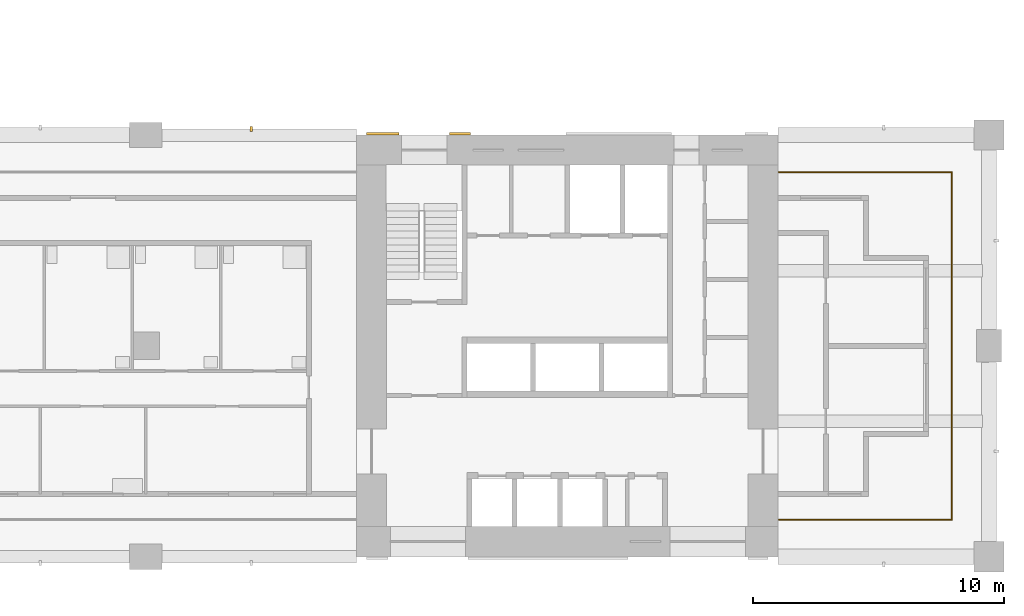
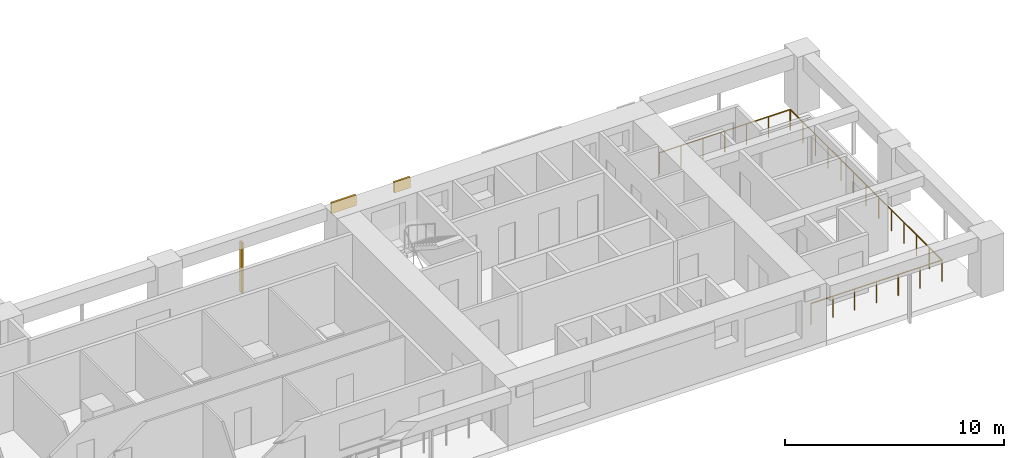
# One storey, part 13 of 17: 3 shading devices, 1 railing.
"""IFC4 building model written with IfcOpenShell, lengths in metres."""

from ifc_helpers import new_model, si_unit, direction, frame, origin, origin_2d, place, context, subcontext, project, spatial, rectangle, circle, extrude, material, layer, layer_set, material_profile, profile_set, type_object, element, save


model = new_model("IFC4")

# Units and contexts
model_context = context("Model", 3, precision=1e-05, world=origin(), true_north=direction((0.0, 1.0)))
body_context = subcontext(model_context, "Body", "Model", "MODEL_VIEW")
ifc_project = project(units=[si_unit("LENGTHUNIT", "METRE"), si_unit("AREAUNIT", "SQUARE_METRE"), si_unit("VOLUMEUNIT", "CUBIC_METRE"), si_unit("PLANEANGLEUNIT", "RADIAN"), si_unit("MASSUNIT", "GRAM", prefix="KILO")], contexts=[model_context])

# Site, building, storey
site_placement = place(None, origin())
site = spatial("IfcSite", under=ifc_project, at=site_placement, CompositionType="ELEMENT")
building_placement = place(site_placement, origin())
building = spatial("IfcBuilding", under=site, at=building_placement, Name="Vermilion Gate Residences", CompositionType="ELEMENT")
storey_placement = place(building_placement, frame((0.0, 0.0, 98.699951171875)))
storey = spatial("IfcBuildingStorey", under=building, at=storey_placement, Name="L24", CompositionType="ELEMENT", Elevation=98.699951171875)

# Railing
ifc_material_1 = material(Name="Stainless steel and toughened glass", Category="steel")
railing_type = type_object("IfcRailingType", Name="LOGGIA GUARD STEEL AND GLASS 1200", PredefinedType="GUARDRAIL", material=ifc_material_1)
railing_placement = place(storey_placement, frame((58.822021484375, 9.875, 0.0)))
element("IfcRailing", 1, at=railing_placement, inside=storey, type_object=railing_type, Name="Loggia guard", PredefinedType="GUARDRAIL", context=body_context, shape_type="SweptSolid", body=[
    extrude(circle(Radius=0.030029296875, at=origin_2d()), frame((0.0, 0.0, 1.169921875), z_axis=(1.0, 0.0, 0.0), x_axis=(0.0, 1.0, 0.0)), (0.0, 0.0, 1.0), 6.903076171875),
    extrude(circle(Radius=0.030029296875, at=origin_2d()), frame((6.903076171875, 0.0, 1.169921875), z_axis=(0.0, 1.0, 0.0), x_axis=(-1.0, 0.0, 0.0)), (0.0, 0.0, 1.0), 13.85009765625),
    extrude(circle(Radius=0.030029296875, at=origin_2d()), frame((6.903076171875, 13.85009765625, 1.169921875), z_axis=(-1.0, 0.0, 0.0), x_axis=(0.0, -1.0, 0.0)), (0.0, 0.0, 1.0), 6.903076171875),
    extrude(circle(Radius=0.02490234375, at=origin_2d()), origin(), (0.0, 0.0, 1.0), 1.139892578125),
    extrude(circle(Radius=0.02490234375, at=origin_2d()), frame((1.150390625, 0.0, 0.0)), (0.0, 0.0, 1.0), 1.139892578125),
    extrude(circle(Radius=0.02490234375, at=origin_2d()), frame((2.301025390625, 0.0, 0.0)), (0.0, 0.0, 1.0), 1.139892578125),
    extrude(circle(Radius=0.02490234375, at=origin_2d()), frame((3.45166015625, 0.0, 0.0)), (0.0, 0.0, 1.0), 1.139892578125),
    extrude(circle(Radius=0.02490234375, at=origin_2d()), frame((4.60205078125, 0.0, 0.0)), (0.0, 0.0, 1.0), 1.139892578125),
    extrude(circle(Radius=0.02490234375, at=origin_2d()), frame((5.75244140625, 0.0, 0.0)), (0.0, 0.0, 1.0), 1.139892578125),
    extrude(circle(Radius=0.02490234375, at=origin_2d()), frame((6.903076171875, 0.0, 0.0)), (0.0, 0.0, 1.0), 1.139892578125),
    extrude(circle(Radius=0.02490234375, at=origin_2d()), frame((6.903076171875, 1.154296875, 0.0)), (0.0, 0.0, 1.0), 1.139892578125),
    extrude(circle(Radius=0.02490234375, at=origin_2d()), frame((6.903076171875, 2.308349609375, 0.0)), (0.0, 0.0, 1.0), 1.139892578125),
    extrude(circle(Radius=0.02490234375, at=origin_2d()), frame((6.903076171875, 3.46240234375, 0.0)), (0.0, 0.0, 1.0), 1.139892578125),
    extrude(circle(Radius=0.02490234375, at=origin_2d()), frame((6.903076171875, 4.61669921875, 0.0)), (0.0, 0.0, 1.0), 1.139892578125),
    extrude(circle(Radius=0.02490234375, at=origin_2d()), frame((6.903076171875, 5.77099609375, 0.0)), (0.0, 0.0, 1.0), 1.139892578125),
    extrude(circle(Radius=0.02490234375, at=origin_2d()), frame((6.903076171875, 6.925048828125, 0.0)), (0.0, 0.0, 1.0), 1.139892578125),
    extrude(circle(Radius=0.02490234375, at=origin_2d()), frame((6.903076171875, 8.0791015625, 0.0)), (0.0, 0.0, 1.0), 1.139892578125),
    extrude(circle(Radius=0.02490234375, at=origin_2d()), frame((6.903076171875, 9.2333984375, 0.0)), (0.0, 0.0, 1.0), 1.139892578125),
    extrude(circle(Radius=0.02490234375, at=origin_2d()), frame((6.903076171875, 10.3876953125, 0.0)), (0.0, 0.0, 1.0), 1.139892578125),
    extrude(circle(Radius=0.02490234375, at=origin_2d()), frame((6.903076171875, 11.541748046875, 0.0)), (0.0, 0.0, 1.0), 1.139892578125),
    extrude(circle(Radius=0.02490234375, at=origin_2d()), frame((6.903076171875, 12.69580078125, 0.0)), (0.0, 0.0, 1.0), 1.139892578125),
    extrude(circle(Radius=0.02490234375, at=origin_2d()), frame((6.903076171875, 13.85009765625, 0.0)), (0.0, 0.0, 1.0), 1.139892578125),
    extrude(circle(Radius=0.02490234375, at=origin_2d()), frame((5.75244140625, 13.85009765625, 0.0)), (0.0, 0.0, 1.0), 1.139892578125),
    extrude(circle(Radius=0.02490234375, at=origin_2d()), frame((4.60205078125, 13.85009765625, 0.0)), (0.0, 0.0, 1.0), 1.139892578125),
    extrude(circle(Radius=0.02490234375, at=origin_2d()), frame((3.45166015625, 13.85009765625, 0.0)), (0.0, 0.0, 1.0), 1.139892578125),
    extrude(circle(Radius=0.02490234375, at=origin_2d()), frame((2.301025390625, 13.85009765625, 0.0)), (0.0, 0.0, 1.0), 1.139892578125),
    extrude(circle(Radius=0.02490234375, at=origin_2d()), frame((1.150390625, 13.85009765625, 0.0)), (0.0, 0.0, 1.0), 1.139892578125),
    extrude(circle(Radius=0.02490234375, at=origin_2d()), frame((0.0, 13.85009765625, 0.0)), (0.0, 0.0, 1.0), 1.139892578125),
])

# Shading devices
ifc_material_2 = material(Name="Extruded terracotta", Category="masonry")
ifc_material_profile = material_profile(ifc_material_2, rectangle(XDim=0.199951171875, YDim=0.10009765625, at=origin_2d()), Name="BAGUETTE 100 X 200")
ifc_profile_set = profile_set([ifc_material_profile], Name="Extruded terracotta")
shading_device_type_1 = type_object("IfcShadingDeviceType", Name="TERRACOTTA BAGUETTE 100 X 200", PredefinedType="JALOUSIE", material=ifc_profile_set)
shading_device_1_placement = place(storey_placement, frame((37.800048828125, 25.449951171875, -0.280029296875), z_axis=(0.0, 0.0, 1.0), x_axis=(0.0, -1.0, 0.0)))
element("IfcShadingDevice", 2, at=shading_device_1_placement, inside=storey, type_object=shading_device_type_1, Name="BAGUETTE", PredefinedType="JALOUSIE", context=body_context, shape_type="SweptSolid", body=[
    extrude(rectangle(XDim=0.199951171875, YDim=0.10009765625, at=origin_2d()), origin(), (0.0, 0.0, 1.0), 2.800048828125),
])
ifc_material_3 = material(Name="Extruded terracotta", Category="masonry")
ifc_layer = layer(ifc_material_3, 0.10009765625)
ifc_layer_set = layer_set([ifc_layer], Name="TERRACOTTA SPANDREL BAND 600 X 100")
shading_device_type_2 = type_object("IfcShadingDeviceType", Name="TERRACOTTA SPANDREL BAND 600 X 100", PredefinedType="USERDEFINED", material=ifc_layer_set)
shading_device_2_placement = place(storey_placement, frame((43.050048828125, 25.25, 2.6201171875), z_axis=(0.0, 0.0, 1.0), x_axis=(1.0, 0.0, 0.0)))
element("IfcShadingDevice", 3, at=shading_device_2_placement, inside=storey, type_object=shading_device_type_2, Name="SPANDREL BAND", ObjectType="BAND", PredefinedType="USERDEFINED", context=body_context, shape_type="SweptSolid", body=[
    extrude(rectangle(XDim=1.300048828125, YDim=0.10009765625, at=origin_2d()), origin(), (0.0, 0.0, 1.0), 0.60009765625),
])
shading_device_3_placement = place(storey_placement, frame((46.121826171875, 25.25, 2.6201171875), z_axis=(0.0, 0.0, 1.0), x_axis=(1.0, 0.0, 0.0)))
element("IfcShadingDevice", 4, at=shading_device_3_placement, inside=storey, type_object=shading_device_type_2, Name="SPANDREL BAND", ObjectType="BAND", PredefinedType="USERDEFINED", context=body_context, shape_type="SweptSolid", body=[
    extrude(rectangle(XDim=0.84375, YDim=0.10009765625, at=origin_2d()), origin(), (0.0, 0.0, 1.0), 0.60009765625),
])

save(model, "model.ifc")
